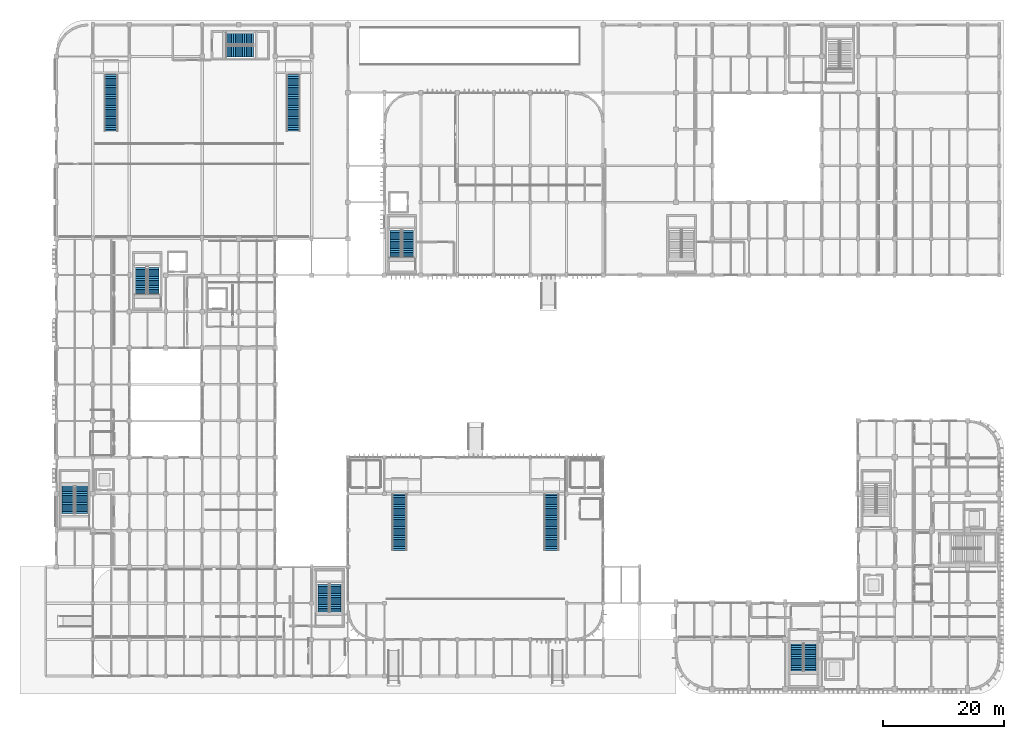
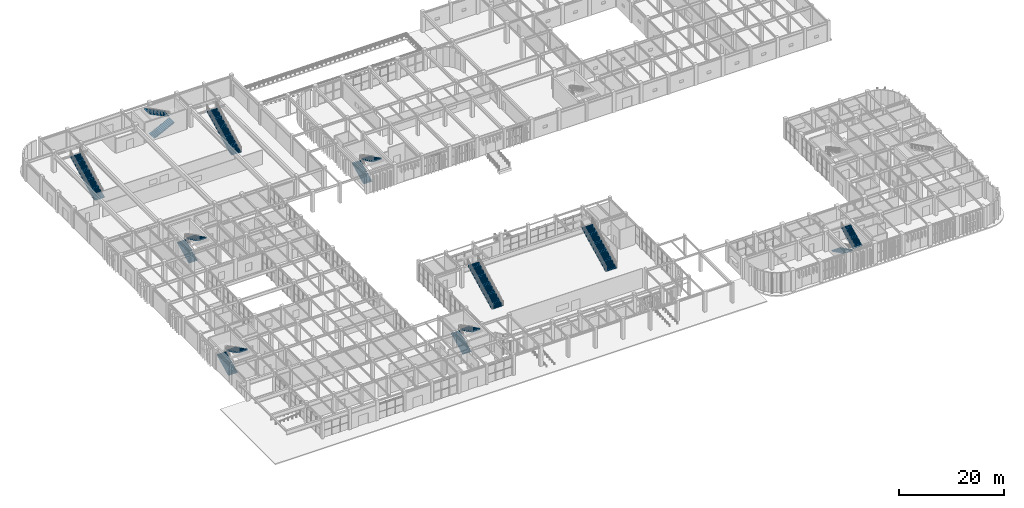
# One storey, part 54 of 76: 16 stair flights, 10 elements without a shape of their own.
"""IFC4 building model written with IfcOpenShell, lengths in metres."""

from ifc_helpers import new_model, si_unit, direction, frame, origin, place, context, subcontext, project, spatial, polyline, outline, extrude, material, type_object, element, aggregate, save


model = new_model("IFC4")

# Units and contexts
model_context = context("Model", 3, precision=1e-05, world=origin(), true_north=direction((0.0, 1.0)))
body_context = subcontext(model_context, "Body", "Model", "MODEL_VIEW")
ifc_project = project(units=[si_unit("LENGTHUNIT", "METRE"), si_unit("AREAUNIT", "SQUARE_METRE"), si_unit("VOLUMEUNIT", "CUBIC_METRE"), si_unit("PLANEANGLEUNIT", "RADIAN"), si_unit("MASSUNIT", "GRAM", prefix="KILO")], contexts=[model_context])

# Site, building, storey
site_placement = place(None, origin())
site = spatial("IfcSite", under=ifc_project, at=site_placement, CompositionType="ELEMENT")
building_placement = place(site_placement, origin())
building = spatial("IfcBuilding", under=site, at=building_placement, Name="Varnakota Square Police Headquarters", CompositionType="ELEMENT")
storey_placement = place(building_placement, origin())
storey = spatial("IfcBuildingStorey", under=building, at=storey_placement, Name="L00", CompositionType="ELEMENT", Elevation=0.0)

# Stair, stair flights
ifc_material_1 = material(Name="Concrete M40", Category="concrete")
stair_type_1 = type_object("IfcStairType", Name="STR-DOG-1850", PredefinedType="USERDEFINED", material=ifc_material_1)
stair_1_placement = place(storey_placement, origin())
stair_1 = element("IfcStair", 1, at=stair_1_placement, inside=storey, type_object=stair_type_1, Name="Protected exit stair ST5 (L00)", ObjectType="TWO_RETURN_STAIR", PredefinedType="USERDEFINED")
stair_flight_type_1 = type_object("IfcStairFlightType", Name="SFL-DOG-1850", PredefinedType="STRAIGHT", material=ifc_material_1)
stair_flight_1_placement = place(storey_placement, frame((19.945068359375, 65.75, 0.0), z_axis=(0.0, 0.0, 1.0), x_axis=(0.0, 1.0, 0.0)))
stair_flight_1 = element("IfcStairFlight", 2, at=stair_flight_1_placement, type_object=stair_flight_type_1, Name="ST5-L00 flight 1", NumberOfRisers=16, NumberOfTreads=15, PredefinedType="STRAIGHT", RiserHeight=0.15, TreadLength=0.3, context=body_context, shape_type="SweptSolid", body=[
    extrude(outline(polyline([(0.0, 0.0), (0.0, 0.14990234375), (0.300048828125, 0.14990234375), (0.300048828125, 0.300048828125), (0.60009765625, 0.300048828125), (0.60009765625, 0.449951171875), (0.900146484375, 0.449951171875), (0.900146484375, 0.60009765625), (1.2001953125, 0.60009765625), (1.2001953125, 0.75), (1.500244140625, 0.75), (1.500244140625, 0.89990234375), (1.80029296875, 0.89990234375), (1.80029296875, 1.050048828125), (2.100341796875, 1.050048828125), (2.100341796875, 1.199951171875), (2.400390625, 1.199951171875), (2.400390625, 1.35009765625), (2.700439453125, 1.35009765625), (2.700439453125, 1.5), (3.00048828125, 1.5), (3.00048828125, 1.64990234375), (3.300537109375, 1.64990234375), (3.300537109375, 1.800048828125), (3.6005859375, 1.800048828125), (3.6005859375, 1.949951171875), (3.900634765625, 1.949951171875), (3.900634765625, 2.10009765625), (4.20068359375, 2.10009765625), (4.20068359375, 2.25), (4.500732421875, 2.25), (4.500732421875, 2.39990234375), (4.500732421875, 2.048828125), (0.40234375, 0.0), (0.0, 0.0)])), frame((0.0, 0.925048828125, 0.0), z_axis=(0.0, -1.0, 0.0), x_axis=(1.0, 0.0, 0.0)), (0.0, 0.0, 1.0), 1.85009765625),
])
stair_flight_2_placement = place(storey_placement, frame((21.955078125, 70.250732421875, 2.39990234375), z_axis=(0.0, 0.0, 1.0), x_axis=(0.0, -1.0, 0.0)))
stair_flight_2 = element("IfcStairFlight", 3, at=stair_flight_2_placement, type_object=stair_flight_type_1, Name="ST5-L00 flight 2", NumberOfRisers=16, NumberOfTreads=15, PredefinedType="STRAIGHT", RiserHeight=0.15, TreadLength=0.3, context=body_context, shape_type="SweptSolid", body=[
    extrude(outline(polyline([(0.0, 0.0), (0.0, 0.14990234375), (0.300048828125, 0.14990234375), (0.300048828125, 0.300048828125), (0.60009765625, 0.300048828125), (0.60009765625, 0.449951171875), (0.900146484375, 0.449951171875), (0.900146484375, 0.60009765625), (1.2001953125, 0.60009765625), (1.2001953125, 0.75), (1.500244140625, 0.75), (1.500244140625, 0.89990234375), (1.80029296875, 0.89990234375), (1.80029296875, 1.050048828125), (2.100341796875, 1.050048828125), (2.100341796875, 1.199951171875), (2.400390625, 1.199951171875), (2.400390625, 1.35009765625), (2.700439453125, 1.35009765625), (2.700439453125, 1.5), (3.00048828125, 1.5), (3.00048828125, 1.64990234375), (3.300537109375, 1.64990234375), (3.300537109375, 1.800048828125), (3.6005859375, 1.800048828125), (3.6005859375, 1.949951171875), (3.900634765625, 1.949951171875), (3.900634765625, 2.10009765625), (4.20068359375, 2.10009765625), (4.20068359375, 2.25), (4.500732421875, 2.25), (4.500732421875, 2.39990234375), (4.500732421875, 2.048828125), (0.40234375, 0.0), (0.0, 0.0)])), frame((0.0, 0.925048828125, 0.0), z_axis=(0.0, -1.0, 0.0), x_axis=(1.0, 0.0, 0.0)), (0.0, 0.0, 1.0), 1.85009765625),
])
aggregate(stair_1, [stair_flight_1, stair_flight_2])

stair_2_placement = place(storey_placement, origin())
stair_2 = element("IfcStair", 4, at=stair_2_placement, inside=storey, type_object=stair_type_1, Name="Protected exit stair ST6 (L00)", ObjectType="TWO_RETURN_STAIR", PredefinedType="USERDEFINED")
stair_flight_3_placement = place(storey_placement, frame((61.844970703125, 71.85009765625, 0.0), z_axis=(0.0, 0.0, 1.0), x_axis=(0.0, 1.0, 0.0)))
stair_flight_3 = element("IfcStairFlight", 5, at=stair_flight_3_placement, type_object=stair_flight_type_1, Name="ST6-L00 flight 1", NumberOfRisers=16, NumberOfTreads=15, PredefinedType="STRAIGHT", RiserHeight=0.15, TreadLength=0.3, context=body_context, shape_type="SweptSolid", body=[
    extrude(outline(polyline([(0.0, 0.0), (0.0, 0.14990234375), (0.300048828125, 0.14990234375), (0.300048828125, 0.300048828125), (0.60009765625, 0.300048828125), (0.60009765625, 0.449951171875), (0.900146484375, 0.449951171875), (0.900146484375, 0.60009765625), (1.2001953125, 0.60009765625), (1.2001953125, 0.75), (1.500244140625, 0.75), (1.500244140625, 0.89990234375), (1.80029296875, 0.89990234375), (1.80029296875, 1.050048828125), (2.100341796875, 1.050048828125), (2.100341796875, 1.199951171875), (2.400390625, 1.199951171875), (2.400390625, 1.35009765625), (2.700439453125, 1.35009765625), (2.700439453125, 1.5), (3.00048828125, 1.5), (3.00048828125, 1.64990234375), (3.300537109375, 1.64990234375), (3.300537109375, 1.800048828125), (3.6005859375, 1.800048828125), (3.6005859375, 1.949951171875), (3.900634765625, 1.949951171875), (3.900634765625, 2.10009765625), (4.20068359375, 2.10009765625), (4.20068359375, 2.25), (4.500732421875, 2.25), (4.500732421875, 2.39990234375), (4.500732421875, 2.048828125), (0.40234375, 0.0), (0.0, 0.0)])), frame((0.0, 0.925048828125, 0.0), z_axis=(0.0, -1.0, 0.0), x_axis=(1.0, 0.0, 0.0)), (0.0, 0.0, 1.0), 1.85009765625),
])
stair_flight_4_placement = place(storey_placement, frame((63.85498046875, 76.350830078125, 2.39990234375), z_axis=(0.0, 0.0, 1.0), x_axis=(0.0, -1.0, 0.0)))
stair_flight_4 = element("IfcStairFlight", 6, at=stair_flight_4_placement, type_object=stair_flight_type_1, Name="ST6-L00 flight 2", NumberOfRisers=16, NumberOfTreads=15, PredefinedType="STRAIGHT", RiserHeight=0.15, TreadLength=0.3, context=body_context, shape_type="SweptSolid", body=[
    extrude(outline(polyline([(0.0, 0.0), (0.0, 0.14990234375), (0.300048828125, 0.14990234375), (0.300048828125, 0.300048828125), (0.60009765625, 0.300048828125), (0.60009765625, 0.449951171875), (0.900146484375, 0.449951171875), (0.900146484375, 0.60009765625), (1.2001953125, 0.60009765625), (1.2001953125, 0.75), (1.500244140625, 0.75), (1.500244140625, 0.89990234375), (1.80029296875, 0.89990234375), (1.80029296875, 1.050048828125), (2.100341796875, 1.050048828125), (2.100341796875, 1.199951171875), (2.400390625, 1.199951171875), (2.400390625, 1.35009765625), (2.700439453125, 1.35009765625), (2.700439453125, 1.5), (3.00048828125, 1.5), (3.00048828125, 1.64990234375), (3.300537109375, 1.64990234375), (3.300537109375, 1.800048828125), (3.6005859375, 1.800048828125), (3.6005859375, 1.949951171875), (3.900634765625, 1.949951171875), (3.900634765625, 2.10009765625), (4.20068359375, 2.10009765625), (4.20068359375, 2.25), (4.500732421875, 2.25), (4.500732421875, 2.39990234375), (4.500732421875, 2.048828125), (0.40234375, 0.0), (0.0, 0.0)])), frame((0.0, 0.925048828125, 0.0), z_axis=(0.0, -1.0, 0.0), x_axis=(1.0, 0.0, 0.0)), (0.0, 0.0, 1.0), 1.85009765625),
])
aggregate(stair_2, [stair_flight_3, stair_flight_4])

stair_3_placement = place(storey_placement, origin())
stair_3 = element("IfcStair", 7, at=stair_3_placement, inside=storey, type_object=stair_type_1, Name="Protected exit stair ST7 (L00)", ObjectType="TWO_RETURN_STAIR", PredefinedType="USERDEFINED")
stair_flight_5_placement = place(storey_placement, frame((33.949951171875, 105.844970703125, 0.0), z_axis=(0.0, 0.0, 1.0), x_axis=(1.0, 0.0, 0.0)))
stair_flight_5 = element("IfcStairFlight", 8, at=stair_flight_5_placement, type_object=stair_flight_type_1, Name="ST7-L00 flight 1", NumberOfRisers=16, NumberOfTreads=15, PredefinedType="STRAIGHT", RiserHeight=0.15, TreadLength=0.3, context=body_context, shape_type="SweptSolid", body=[
    extrude(outline(polyline([(0.0, 0.0), (0.0, 0.14990234375), (0.300048828125, 0.14990234375), (0.300048828125, 0.300048828125), (0.60009765625, 0.300048828125), (0.60009765625, 0.449951171875), (0.900146484375, 0.449951171875), (0.900146484375, 0.60009765625), (1.2001953125, 0.60009765625), (1.2001953125, 0.75), (1.500244140625, 0.75), (1.500244140625, 0.89990234375), (1.80029296875, 0.89990234375), (1.80029296875, 1.050048828125), (2.100341796875, 1.050048828125), (2.100341796875, 1.199951171875), (2.400390625, 1.199951171875), (2.400390625, 1.35009765625), (2.700439453125, 1.35009765625), (2.700439453125, 1.5), (3.00048828125, 1.5), (3.00048828125, 1.64990234375), (3.300537109375, 1.64990234375), (3.300537109375, 1.800048828125), (3.6005859375, 1.800048828125), (3.6005859375, 1.949951171875), (3.900634765625, 1.949951171875), (3.900634765625, 2.10009765625), (4.20068359375, 2.10009765625), (4.20068359375, 2.25), (4.500732421875, 2.25), (4.500732421875, 2.39990234375), (4.500732421875, 2.048828125), (0.40234375, 0.0), (0.0, 0.0)])), frame((0.0, 0.925048828125, 0.0), z_axis=(0.0, -1.0, 0.0), x_axis=(1.0, 0.0, 0.0)), (0.0, 0.0, 1.0), 1.85009765625),
])
stair_flight_6_placement = place(storey_placement, frame((38.45068359375, 107.85498046875, 2.39990234375), z_axis=(0.0, 0.0, 1.0), x_axis=(-1.0, 0.0, 0.0)))
stair_flight_6 = element("IfcStairFlight", 9, at=stair_flight_6_placement, type_object=stair_flight_type_1, Name="ST7-L00 flight 2", NumberOfRisers=16, NumberOfTreads=15, PredefinedType="STRAIGHT", RiserHeight=0.15, TreadLength=0.3, context=body_context, shape_type="SweptSolid", body=[
    extrude(outline(polyline([(0.0, 0.0), (0.0, 0.14990234375), (0.300048828125, 0.14990234375), (0.300048828125, 0.300048828125), (0.60009765625, 0.300048828125), (0.60009765625, 0.449951171875), (0.900146484375, 0.449951171875), (0.900146484375, 0.60009765625), (1.2001953125, 0.60009765625), (1.2001953125, 0.75), (1.500244140625, 0.75), (1.500244140625, 0.89990234375), (1.80029296875, 0.89990234375), (1.80029296875, 1.050048828125), (2.100341796875, 1.050048828125), (2.100341796875, 1.199951171875), (2.400390625, 1.199951171875), (2.400390625, 1.35009765625), (2.700439453125, 1.35009765625), (2.700439453125, 1.5), (3.00048828125, 1.5), (3.00048828125, 1.64990234375), (3.300537109375, 1.64990234375), (3.300537109375, 1.800048828125), (3.6005859375, 1.800048828125), (3.6005859375, 1.949951171875), (3.900634765625, 1.949951171875), (3.900634765625, 2.10009765625), (4.20068359375, 2.10009765625), (4.20068359375, 2.25), (4.500732421875, 2.25), (4.500732421875, 2.39990234375), (4.500732421875, 2.048828125), (0.40234375, 0.0), (0.0, 0.0)])), frame((0.0, 0.925048828125, 0.0), z_axis=(0.0, -1.0, 0.0), x_axis=(1.0, 0.0, 0.0)), (0.0, 0.0, 1.0), 1.85009765625),
])
aggregate(stair_3, [stair_flight_5, stair_flight_6])

stair_4_placement = place(storey_placement, origin())
stair_4 = element("IfcStair", 10, at=stair_4_placement, inside=storey, type_object=stair_type_1, Name="Protected exit stair ST10 (L00)", ObjectType="TWO_RETURN_STAIR", PredefinedType="USERDEFINED")
stair_flight_7_placement = place(storey_placement, frame((49.945068359375, 13.550048828125, 0.0), z_axis=(0.0, 0.0, 1.0), x_axis=(0.0, 1.0, 0.0)))
stair_flight_7 = element("IfcStairFlight", 11, at=stair_flight_7_placement, type_object=stair_flight_type_1, Name="ST10-L00 flight 1", NumberOfRisers=16, NumberOfTreads=15, PredefinedType="STRAIGHT", RiserHeight=0.15, TreadLength=0.3, context=body_context, shape_type="SweptSolid", body=[
    extrude(outline(polyline([(0.0, 0.0), (0.0, 0.14990234375), (0.300048828125, 0.14990234375), (0.300048828125, 0.300048828125), (0.60009765625, 0.300048828125), (0.60009765625, 0.449951171875), (0.900146484375, 0.449951171875), (0.900146484375, 0.60009765625), (1.2001953125, 0.60009765625), (1.2001953125, 0.75), (1.500244140625, 0.75), (1.500244140625, 0.89990234375), (1.80029296875, 0.89990234375), (1.80029296875, 1.050048828125), (2.100341796875, 1.050048828125), (2.100341796875, 1.199951171875), (2.400390625, 1.199951171875), (2.400390625, 1.35009765625), (2.700439453125, 1.35009765625), (2.700439453125, 1.5), (3.00048828125, 1.5), (3.00048828125, 1.64990234375), (3.300537109375, 1.64990234375), (3.300537109375, 1.800048828125), (3.6005859375, 1.800048828125), (3.6005859375, 1.949951171875), (3.900634765625, 1.949951171875), (3.900634765625, 2.10009765625), (4.20068359375, 2.10009765625), (4.20068359375, 2.25), (4.500732421875, 2.25), (4.500732421875, 2.39990234375), (4.500732421875, 2.048828125), (0.40234375, 0.0), (0.0, 0.0)])), frame((0.0, 0.925048828125, 0.0), z_axis=(0.0, -1.0, 0.0), x_axis=(1.0, 0.0, 0.0)), (0.0, 0.0, 1.0), 1.85009765625),
])
stair_flight_8_placement = place(storey_placement, frame((51.955078125, 18.05078125, 2.39990234375), z_axis=(0.0, 0.0, 1.0), x_axis=(0.0, -1.0, 0.0)))
stair_flight_8 = element("IfcStairFlight", 12, at=stair_flight_8_placement, type_object=stair_flight_type_1, Name="ST10-L00 flight 2", NumberOfRisers=16, NumberOfTreads=15, PredefinedType="STRAIGHT", RiserHeight=0.15, TreadLength=0.3, context=body_context, shape_type="SweptSolid", body=[
    extrude(outline(polyline([(0.0, 0.0), (0.0, 0.14990234375), (0.300048828125, 0.14990234375), (0.300048828125, 0.300048828125), (0.60009765625, 0.300048828125), (0.60009765625, 0.449951171875), (0.900146484375, 0.449951171875), (0.900146484375, 0.60009765625), (1.2001953125, 0.60009765625), (1.2001953125, 0.75), (1.500244140625, 0.75), (1.500244140625, 0.89990234375), (1.80029296875, 0.89990234375), (1.80029296875, 1.050048828125), (2.100341796875, 1.050048828125), (2.100341796875, 1.199951171875), (2.400390625, 1.199951171875), (2.400390625, 1.35009765625), (2.700439453125, 1.35009765625), (2.700439453125, 1.5), (3.00048828125, 1.5), (3.00048828125, 1.64990234375), (3.300537109375, 1.64990234375), (3.300537109375, 1.800048828125), (3.6005859375, 1.800048828125), (3.6005859375, 1.949951171875), (3.900634765625, 1.949951171875), (3.900634765625, 2.10009765625), (4.20068359375, 2.10009765625), (4.20068359375, 2.25), (4.500732421875, 2.25), (4.500732421875, 2.39990234375), (4.500732421875, 2.048828125), (0.40234375, 0.0), (0.0, 0.0)])), frame((0.0, 0.925048828125, 0.0), z_axis=(0.0, -1.0, 0.0), x_axis=(1.0, 0.0, 0.0)), (0.0, 0.0, 1.0), 1.85009765625),
])
aggregate(stair_4, [stair_flight_7, stair_flight_8])

stair_type_2 = type_object("IfcStairType", Name="STR-DOG-2000", PredefinedType="USERDEFINED", material=ifc_material_1)
stair_5_placement = place(storey_placement, origin())
stair_5 = element("IfcStair", 13, at=stair_5_placement, inside=storey, type_object=stair_type_2, Name="Protected exit stair ST1 (L00)", ObjectType="TWO_RETURN_STAIR", PredefinedType="USERDEFINED")
stair_flight_type_2 = type_object("IfcStairFlightType", Name="SFL-DOG-2000", PredefinedType="STRAIGHT", material=ifc_material_1)
stair_flight_9_placement = place(storey_placement, frame((127.919921875, 8.300048828125, 0.0), z_axis=(0.0, 0.0, 1.0), x_axis=(0.0, -1.0, 0.0)))
stair_flight_9 = element("IfcStairFlight", 14, at=stair_flight_9_placement, type_object=stair_flight_type_2, Name="ST1-L00 flight 1", NumberOfRisers=16, NumberOfTreads=15, PredefinedType="STRAIGHT", RiserHeight=0.15, TreadLength=0.3, context=body_context, shape_type="SweptSolid", body=[
    extrude(outline(polyline([(0.0, 0.0), (0.0, 0.14990234375), (0.300048828125, 0.14990234375), (0.300048828125, 0.300048828125), (0.60009765625, 0.300048828125), (0.60009765625, 0.449951171875), (0.900146484375, 0.449951171875), (0.900146484375, 0.60009765625), (1.2001953125, 0.60009765625), (1.2001953125, 0.75), (1.500244140625, 0.75), (1.500244140625, 0.89990234375), (1.80029296875, 0.89990234375), (1.80029296875, 1.050048828125), (2.100341796875, 1.050048828125), (2.100341796875, 1.199951171875), (2.400390625, 1.199951171875), (2.400390625, 1.35009765625), (2.700439453125, 1.35009765625), (2.700439453125, 1.5), (3.00048828125, 1.5), (3.00048828125, 1.64990234375), (3.300537109375, 1.64990234375), (3.300537109375, 1.800048828125), (3.6005859375, 1.800048828125), (3.6005859375, 1.949951171875), (3.900634765625, 1.949951171875), (3.900634765625, 2.10009765625), (4.20068359375, 2.10009765625), (4.20068359375, 2.25), (4.500732421875, 2.25), (4.500732421875, 2.39990234375), (4.500732421875, 2.048828125), (0.40234375, 0.0), (0.0, 0.0)])), frame((0.0, 1.0, 0.0), z_axis=(0.0, -1.0, 0.0), x_axis=(1.0, 0.0, 0.0)), (0.0, 0.0, 1.0), 2.0),
])
stair_flight_10_placement = place(storey_placement, frame((130.080078125, 3.79931640625, 2.39990234375), z_axis=(0.0, 0.0, 1.0), x_axis=(0.0, 1.0, 0.0)))
stair_flight_10 = element("IfcStairFlight", 15, at=stair_flight_10_placement, type_object=stair_flight_type_2, Name="ST1-L00 flight 2", NumberOfRisers=16, NumberOfTreads=15, PredefinedType="STRAIGHT", RiserHeight=0.15, TreadLength=0.3, context=body_context, shape_type="SweptSolid", body=[
    extrude(outline(polyline([(0.0, 0.0), (0.0, 0.14990234375), (0.300048828125, 0.14990234375), (0.300048828125, 0.300048828125), (0.60009765625, 0.300048828125), (0.60009765625, 0.449951171875), (0.900146484375, 0.449951171875), (0.900146484375, 0.60009765625), (1.2001953125, 0.60009765625), (1.2001953125, 0.75), (1.500244140625, 0.75), (1.500244140625, 0.89990234375), (1.80029296875, 0.89990234375), (1.80029296875, 1.050048828125), (2.100341796875, 1.050048828125), (2.100341796875, 1.199951171875), (2.400390625, 1.199951171875), (2.400390625, 1.35009765625), (2.700439453125, 1.35009765625), (2.700439453125, 1.5), (3.00048828125, 1.5), (3.00048828125, 1.64990234375), (3.300537109375, 1.64990234375), (3.300537109375, 1.800048828125), (3.6005859375, 1.800048828125), (3.6005859375, 1.949951171875), (3.900634765625, 1.949951171875), (3.900634765625, 2.10009765625), (4.20068359375, 2.10009765625), (4.20068359375, 2.25), (4.500732421875, 2.25), (4.500732421875, 2.39990234375), (4.500732421875, 2.048828125), (0.40234375, 0.0), (0.0, 0.0)])), frame((0.0, 1.0, 0.0), z_axis=(0.0, -1.0, 0.0), x_axis=(1.0, 0.0, 0.0)), (0.0, 0.0, 1.0), 2.0),
])
aggregate(stair_5, [stair_flight_9, stair_flight_10])

stair_6_placement = place(storey_placement, origin())
stair_6 = element("IfcStair", 16, at=stair_6_placement, inside=storey, type_object=stair_type_2, Name="Protected exit stair ST4 (L00)", ObjectType="TWO_RETURN_STAIR", PredefinedType="USERDEFINED")
stair_flight_11_placement = place(storey_placement, frame((7.919921875, 29.75, 0.0), z_axis=(0.0, 0.0, 1.0), x_axis=(0.0, 1.0, 0.0)))
stair_flight_11 = element("IfcStairFlight", 17, at=stair_flight_11_placement, type_object=stair_flight_type_2, Name="ST4-L00 flight 1", NumberOfRisers=16, NumberOfTreads=15, PredefinedType="STRAIGHT", RiserHeight=0.15, TreadLength=0.3, context=body_context, shape_type="SweptSolid", body=[
    extrude(outline(polyline([(0.0, 0.0), (0.0, 0.14990234375), (0.300048828125, 0.14990234375), (0.300048828125, 0.300048828125), (0.60009765625, 0.300048828125), (0.60009765625, 0.449951171875), (0.900146484375, 0.449951171875), (0.900146484375, 0.60009765625), (1.2001953125, 0.60009765625), (1.2001953125, 0.75), (1.500244140625, 0.75), (1.500244140625, 0.89990234375), (1.80029296875, 0.89990234375), (1.80029296875, 1.050048828125), (2.100341796875, 1.050048828125), (2.100341796875, 1.199951171875), (2.400390625, 1.199951171875), (2.400390625, 1.35009765625), (2.700439453125, 1.35009765625), (2.700439453125, 1.5), (3.00048828125, 1.5), (3.00048828125, 1.64990234375), (3.300537109375, 1.64990234375), (3.300537109375, 1.800048828125), (3.6005859375, 1.800048828125), (3.6005859375, 1.949951171875), (3.900634765625, 1.949951171875), (3.900634765625, 2.10009765625), (4.20068359375, 2.10009765625), (4.20068359375, 2.25), (4.500732421875, 2.25), (4.500732421875, 2.39990234375), (4.500732421875, 2.048828125), (0.40234375, 0.0), (0.0, 0.0)])), frame((0.0, 1.0, 0.0), z_axis=(0.0, -1.0, 0.0), x_axis=(1.0, 0.0, 0.0)), (0.0, 0.0, 1.0), 2.0),
])
stair_flight_12_placement = place(storey_placement, frame((10.080078125, 34.250732421875, 2.39990234375), z_axis=(0.0, 0.0, 1.0), x_axis=(0.0, -1.0, 0.0)))
stair_flight_12 = element("IfcStairFlight", 18, at=stair_flight_12_placement, type_object=stair_flight_type_2, Name="ST4-L00 flight 2", NumberOfRisers=16, NumberOfTreads=15, PredefinedType="STRAIGHT", RiserHeight=0.15, TreadLength=0.3, context=body_context, shape_type="SweptSolid", body=[
    extrude(outline(polyline([(0.0, 0.0), (0.0, 0.14990234375), (0.300048828125, 0.14990234375), (0.300048828125, 0.300048828125), (0.60009765625, 0.300048828125), (0.60009765625, 0.449951171875), (0.900146484375, 0.449951171875), (0.900146484375, 0.60009765625), (1.2001953125, 0.60009765625), (1.2001953125, 0.75), (1.500244140625, 0.75), (1.500244140625, 0.89990234375), (1.80029296875, 0.89990234375), (1.80029296875, 1.050048828125), (2.100341796875, 1.050048828125), (2.100341796875, 1.199951171875), (2.400390625, 1.199951171875), (2.400390625, 1.35009765625), (2.700439453125, 1.35009765625), (2.700439453125, 1.5), (3.00048828125, 1.5), (3.00048828125, 1.64990234375), (3.300537109375, 1.64990234375), (3.300537109375, 1.800048828125), (3.6005859375, 1.800048828125), (3.6005859375, 1.949951171875), (3.900634765625, 1.949951171875), (3.900634765625, 2.10009765625), (4.20068359375, 2.10009765625), (4.20068359375, 2.25), (4.500732421875, 2.25), (4.500732421875, 2.39990234375), (4.500732421875, 2.048828125), (0.40234375, 0.0), (0.0, 0.0)])), frame((0.0, 1.0, 0.0), z_axis=(0.0, -1.0, 0.0), x_axis=(1.0, 0.0, 0.0)), (0.0, 0.0, 1.0), 2.0),
])
aggregate(stair_6, [stair_flight_11, stair_flight_12])

# Stair, stair flight
ifc_material_2 = material(Name="Precast concrete M40", Category="concrete")
stair_type_3 = type_object("IfcStairType", Name="STR-FEAT-2200", PredefinedType="STRAIGHT_RUN_STAIR", material=ifc_material_2)
stair_7_placement = place(storey_placement, origin())
stair_7 = element("IfcStair", 19, at=stair_7_placement, inside=storey, type_object=stair_type_3, Name="Civic feature straight-run stair ST-AUD1", PredefinedType="STRAIGHT_RUN_STAIR")
stair_flight_type_3 = type_object("IfcStairFlightType", Name="SFL-FEAT-2200", PredefinedType="STRAIGHT", material=ifc_material_2)
stair_flight_13_placement = place(storey_placement, frame((15.0, 92.698486328125, 0.0), z_axis=(0.0, 0.0, 1.0), x_axis=(0.0, 1.0, 0.0)))
stair_flight_13 = element("IfcStairFlight", 20, at=stair_flight_13_placement, type_object=stair_flight_type_3, Name="ST-AUD1 flight 1", NumberOfRisers=32, NumberOfTreads=31, PredefinedType="STRAIGHT", RiserHeight=0.15, TreadLength=0.3, context=body_context, shape_type="SweptSolid", body=[
    extrude(outline(polyline([(0.0, 0.0), (0.0, 0.14990234375), (0.300048828125, 0.14990234375), (0.300048828125, 0.300048828125), (0.60009765625, 0.300048828125), (0.60009765625, 0.449951171875), (0.900146484375, 0.449951171875), (0.900146484375, 0.60009765625), (1.2001953125, 0.60009765625), (1.2001953125, 0.75), (1.500244140625, 0.75), (1.500244140625, 0.89990234375), (1.80029296875, 0.89990234375), (1.80029296875, 1.050048828125), (2.100341796875, 1.050048828125), (2.100341796875, 1.199951171875), (2.400390625, 1.199951171875), (2.400390625, 1.35009765625), (2.700439453125, 1.35009765625), (2.700439453125, 1.5), (3.00048828125, 1.5), (3.00048828125, 1.64990234375), (3.300537109375, 1.64990234375), (3.300537109375, 1.800048828125), (3.6005859375, 1.800048828125), (3.6005859375, 1.949951171875), (3.900634765625, 1.949951171875), (3.900634765625, 2.10009765625), (4.20068359375, 2.10009765625), (4.20068359375, 2.25), (4.500732421875, 2.25), (4.500732421875, 2.39990234375), (4.80078125, 2.39990234375), (4.80078125, 2.550048828125), (5.100830078125, 2.550048828125), (5.100830078125, 2.699951171875), (5.40087890625, 2.699951171875), (5.40087890625, 2.85009765625), (5.700927734375, 2.85009765625), (5.700927734375, 3.0), (6.0009765625, 3.0), (6.0009765625, 3.14990234375), (6.301025390625, 3.14990234375), (6.301025390625, 3.300048828125), (6.60107421875, 3.300048828125), (6.60107421875, 3.449951171875), (6.901123046875, 3.449951171875), (6.901123046875, 3.60009765625), (7.201171875, 3.60009765625), (7.201171875, 3.75), (7.501220703125, 3.75), (7.501220703125, 3.89990234375), (7.80126953125, 3.89990234375), (7.80126953125, 4.050048828125), (8.101318359375, 4.050048828125), (8.101318359375, 4.199951171875), (8.4013671875, 4.199951171875), (8.4013671875, 4.35009765625), (8.701416015625, 4.35009765625), (8.701416015625, 4.5), (9.00146484375, 4.5), (9.00146484375, 4.64990234375), (9.301513671875, 4.64990234375), (9.301513671875, 4.800048828125), (9.301513671875, 4.426513671875), (0.447265625, 0.0), (0.0, 0.0)])), frame((0.0, 1.10009765625, 0.0), z_axis=(0.0, -1.0, 0.0), x_axis=(1.0, 0.0, 0.0)), (0.0, 0.0, 1.0), 2.199951171875),
])
aggregate(stair_7, [stair_flight_13])

stair_8_placement = place(storey_placement, origin())
stair_8 = element("IfcStair", 21, at=stair_8_placement, inside=storey, type_object=stair_type_3, Name="Civic feature straight-run stair ST-AUD2", PredefinedType="STRAIGHT_RUN_STAIR")
stair_flight_14_placement = place(storey_placement, frame((45.0, 92.698486328125, 0.0), z_axis=(0.0, 0.0, 1.0), x_axis=(0.0, 1.0, 0.0)))
stair_flight_14 = element("IfcStairFlight", 22, at=stair_flight_14_placement, type_object=stair_flight_type_3, Name="ST-AUD2 flight 1", NumberOfRisers=32, NumberOfTreads=31, PredefinedType="STRAIGHT", RiserHeight=0.15, TreadLength=0.3, context=body_context, shape_type="SweptSolid", body=[
    extrude(outline(polyline([(0.0, 0.0), (0.0, 0.14990234375), (0.300048828125, 0.14990234375), (0.300048828125, 0.300048828125), (0.60009765625, 0.300048828125), (0.60009765625, 0.449951171875), (0.900146484375, 0.449951171875), (0.900146484375, 0.60009765625), (1.2001953125, 0.60009765625), (1.2001953125, 0.75), (1.500244140625, 0.75), (1.500244140625, 0.89990234375), (1.80029296875, 0.89990234375), (1.80029296875, 1.050048828125), (2.100341796875, 1.050048828125), (2.100341796875, 1.199951171875), (2.400390625, 1.199951171875), (2.400390625, 1.35009765625), (2.700439453125, 1.35009765625), (2.700439453125, 1.5), (3.00048828125, 1.5), (3.00048828125, 1.64990234375), (3.300537109375, 1.64990234375), (3.300537109375, 1.800048828125), (3.6005859375, 1.800048828125), (3.6005859375, 1.949951171875), (3.900634765625, 1.949951171875), (3.900634765625, 2.10009765625), (4.20068359375, 2.10009765625), (4.20068359375, 2.25), (4.500732421875, 2.25), (4.500732421875, 2.39990234375), (4.80078125, 2.39990234375), (4.80078125, 2.550048828125), (5.100830078125, 2.550048828125), (5.100830078125, 2.699951171875), (5.40087890625, 2.699951171875), (5.40087890625, 2.85009765625), (5.700927734375, 2.85009765625), (5.700927734375, 3.0), (6.0009765625, 3.0), (6.0009765625, 3.14990234375), (6.301025390625, 3.14990234375), (6.301025390625, 3.300048828125), (6.60107421875, 3.300048828125), (6.60107421875, 3.449951171875), (6.901123046875, 3.449951171875), (6.901123046875, 3.60009765625), (7.201171875, 3.60009765625), (7.201171875, 3.75), (7.501220703125, 3.75), (7.501220703125, 3.89990234375), (7.80126953125, 3.89990234375), (7.80126953125, 4.050048828125), (8.101318359375, 4.050048828125), (8.101318359375, 4.199951171875), (8.4013671875, 4.199951171875), (8.4013671875, 4.35009765625), (8.701416015625, 4.35009765625), (8.701416015625, 4.5), (9.00146484375, 4.5), (9.00146484375, 4.64990234375), (9.301513671875, 4.64990234375), (9.301513671875, 4.800048828125), (9.301513671875, 4.426513671875), (0.447265625, 0.0), (0.0, 0.0)])), frame((0.0, 1.10009765625, 0.0), z_axis=(0.0, -1.0, 0.0), x_axis=(1.0, 0.0, 0.0)), (0.0, 0.0, 1.0), 2.199951171875),
])
aggregate(stair_8, [stair_flight_14])

stair_type_4 = type_object("IfcStairType", Name="STR-FEAT-2400", PredefinedType="STRAIGHT_RUN_STAIR", material=ifc_material_2)
stair_9_placement = place(storey_placement, origin())
stair_9 = element("IfcStair", 23, at=stair_9_placement, inside=storey, type_object=stair_type_4, Name="Civic feature straight-run stair ST-CIV1", PredefinedType="STRAIGHT_RUN_STAIR")
stair_flight_type_4 = type_object("IfcStairFlightType", Name="SFL-FEAT-2400", PredefinedType="STRAIGHT", material=ifc_material_2)
stair_flight_15_placement = place(storey_placement, frame((62.5, 23.698486328125, 0.0), z_axis=(0.0, 0.0, 1.0), x_axis=(0.0, 1.0, 0.0)))
stair_flight_15 = element("IfcStairFlight", 24, at=stair_flight_15_placement, type_object=stair_flight_type_4, Name="ST-CIV1 flight 1", NumberOfRisers=32, NumberOfTreads=31, PredefinedType="STRAIGHT", RiserHeight=0.15, TreadLength=0.3, context=body_context, shape_type="SweptSolid", body=[
    extrude(outline(polyline([(0.0, 0.0), (0.0, 0.14990234375), (0.300048828125, 0.14990234375), (0.300048828125, 0.300048828125), (0.60009765625, 0.300048828125), (0.60009765625, 0.449951171875), (0.900146484375, 0.449951171875), (0.900146484375, 0.60009765625), (1.2001953125, 0.60009765625), (1.2001953125, 0.75), (1.500244140625, 0.75), (1.500244140625, 0.89990234375), (1.80029296875, 0.89990234375), (1.80029296875, 1.050048828125), (2.100341796875, 1.050048828125), (2.100341796875, 1.199951171875), (2.400390625, 1.199951171875), (2.400390625, 1.35009765625), (2.700439453125, 1.35009765625), (2.700439453125, 1.5), (3.00048828125, 1.5), (3.00048828125, 1.64990234375), (3.300537109375, 1.64990234375), (3.300537109375, 1.800048828125), (3.6005859375, 1.800048828125), (3.6005859375, 1.949951171875), (3.900634765625, 1.949951171875), (3.900634765625, 2.10009765625), (4.20068359375, 2.10009765625), (4.20068359375, 2.25), (4.500732421875, 2.25), (4.500732421875, 2.39990234375), (4.80078125, 2.39990234375), (4.80078125, 2.550048828125), (5.100830078125, 2.550048828125), (5.100830078125, 2.699951171875), (5.40087890625, 2.699951171875), (5.40087890625, 2.85009765625), (5.700927734375, 2.85009765625), (5.700927734375, 3.0), (6.0009765625, 3.0), (6.0009765625, 3.14990234375), (6.301025390625, 3.14990234375), (6.301025390625, 3.300048828125), (6.60107421875, 3.300048828125), (6.60107421875, 3.449951171875), (6.901123046875, 3.449951171875), (6.901123046875, 3.60009765625), (7.201171875, 3.60009765625), (7.201171875, 3.75), (7.501220703125, 3.75), (7.501220703125, 3.89990234375), (7.80126953125, 3.89990234375), (7.80126953125, 4.050048828125), (8.101318359375, 4.050048828125), (8.101318359375, 4.199951171875), (8.4013671875, 4.199951171875), (8.4013671875, 4.35009765625), (8.701416015625, 4.35009765625), (8.701416015625, 4.5), (9.00146484375, 4.5), (9.00146484375, 4.64990234375), (9.301513671875, 4.64990234375), (9.301513671875, 4.800048828125), (9.301513671875, 4.426513671875), (0.447265625, 0.0), (0.0, 0.0)])), frame((0.0, 1.199951171875, 0.0), z_axis=(0.0, -1.0, 0.0), x_axis=(1.0, 0.0, 0.0)), (0.0, 0.0, 1.0), 2.39990234375),
])
aggregate(stair_9, [stair_flight_15])

stair_10_placement = place(storey_placement, origin())
stair_10 = element("IfcStair", 25, at=stair_10_placement, inside=storey, type_object=stair_type_4, Name="Civic feature straight-run stair ST-CIV2", PredefinedType="STRAIGHT_RUN_STAIR")
stair_flight_16_placement = place(storey_placement, frame((87.5, 23.698486328125, 0.0), z_axis=(0.0, 0.0, 1.0), x_axis=(0.0, 1.0, 0.0)))
stair_flight_16 = element("IfcStairFlight", 26, at=stair_flight_16_placement, type_object=stair_flight_type_4, Name="ST-CIV2 flight 1", NumberOfRisers=32, NumberOfTreads=31, PredefinedType="STRAIGHT", RiserHeight=0.15, TreadLength=0.3, context=body_context, shape_type="SweptSolid", body=[
    extrude(outline(polyline([(0.0, 0.0), (0.0, 0.14990234375), (0.300048828125, 0.14990234375), (0.300048828125, 0.300048828125), (0.60009765625, 0.300048828125), (0.60009765625, 0.449951171875), (0.900146484375, 0.449951171875), (0.900146484375, 0.60009765625), (1.2001953125, 0.60009765625), (1.2001953125, 0.75), (1.500244140625, 0.75), (1.500244140625, 0.89990234375), (1.80029296875, 0.89990234375), (1.80029296875, 1.050048828125), (2.100341796875, 1.050048828125), (2.100341796875, 1.199951171875), (2.400390625, 1.199951171875), (2.400390625, 1.35009765625), (2.700439453125, 1.35009765625), (2.700439453125, 1.5), (3.00048828125, 1.5), (3.00048828125, 1.64990234375), (3.300537109375, 1.64990234375), (3.300537109375, 1.800048828125), (3.6005859375, 1.800048828125), (3.6005859375, 1.949951171875), (3.900634765625, 1.949951171875), (3.900634765625, 2.10009765625), (4.20068359375, 2.10009765625), (4.20068359375, 2.25), (4.500732421875, 2.25), (4.500732421875, 2.39990234375), (4.80078125, 2.39990234375), (4.80078125, 2.550048828125), (5.100830078125, 2.550048828125), (5.100830078125, 2.699951171875), (5.40087890625, 2.699951171875), (5.40087890625, 2.85009765625), (5.700927734375, 2.85009765625), (5.700927734375, 3.0), (6.0009765625, 3.0), (6.0009765625, 3.14990234375), (6.301025390625, 3.14990234375), (6.301025390625, 3.300048828125), (6.60107421875, 3.300048828125), (6.60107421875, 3.449951171875), (6.901123046875, 3.449951171875), (6.901123046875, 3.60009765625), (7.201171875, 3.60009765625), (7.201171875, 3.75), (7.501220703125, 3.75), (7.501220703125, 3.89990234375), (7.80126953125, 3.89990234375), (7.80126953125, 4.050048828125), (8.101318359375, 4.050048828125), (8.101318359375, 4.199951171875), (8.4013671875, 4.199951171875), (8.4013671875, 4.35009765625), (8.701416015625, 4.35009765625), (8.701416015625, 4.5), (9.00146484375, 4.5), (9.00146484375, 4.64990234375), (9.301513671875, 4.64990234375), (9.301513671875, 4.800048828125), (9.301513671875, 4.426513671875), (0.447265625, 0.0), (0.0, 0.0)])), frame((0.0, 1.199951171875, 0.0), z_axis=(0.0, -1.0, 0.0), x_axis=(1.0, 0.0, 0.0)), (0.0, 0.0, 1.0), 2.39990234375),
])
aggregate(stair_10, [stair_flight_16])

save(model, "model.ifc")
